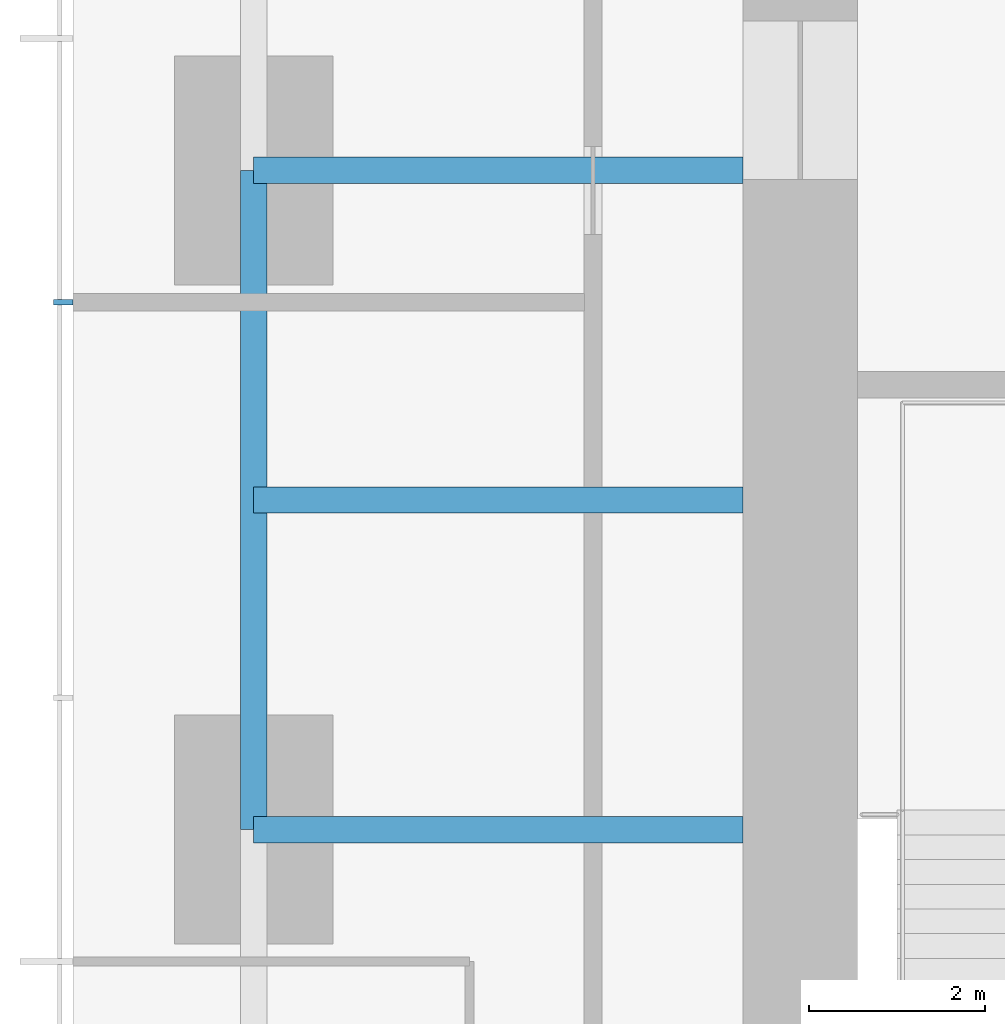
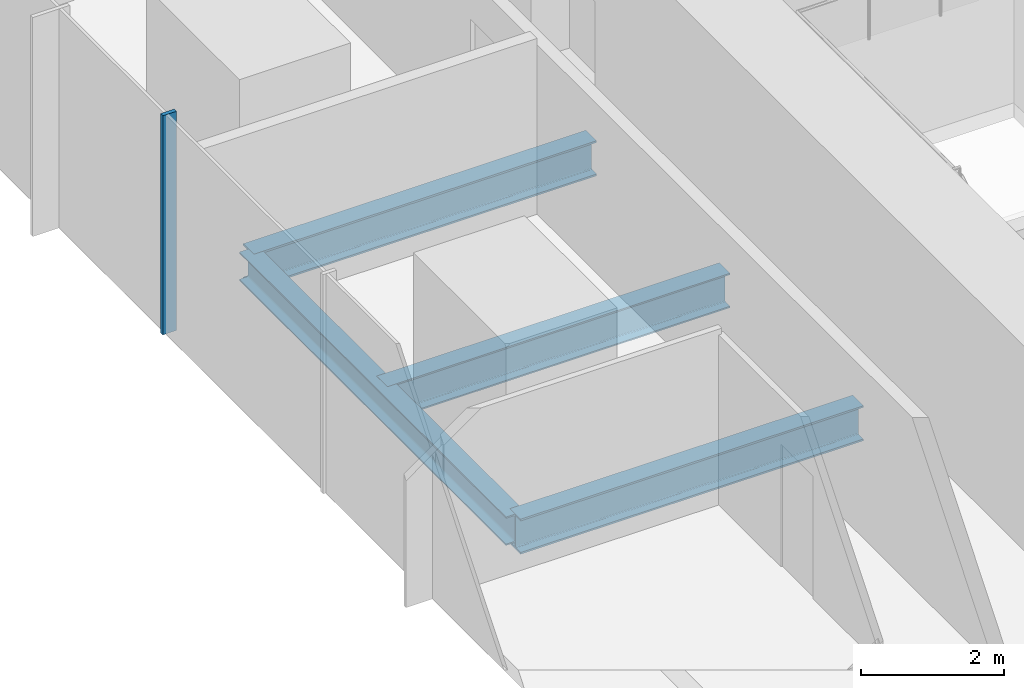
# One storey, part 3 of 12: 4 beams, 1 member, 1 element without a shape of its own.
"""IFC4 building model written with IfcOpenShell, lengths in metres."""

from ifc_helpers import new_model, si_unit, direction, frame, origin, origin_2d, place, context, subcontext, project, spatial, rectangle, i_section, extrude, material, material_profile, profile_set, type_object, element, aggregate, save


model = new_model("IFC4")

# Units and contexts
model_context = context("Model", 3, precision=1e-05, world=origin(), true_north=direction((0.0, 1.0)))
body_context = subcontext(model_context, "Body", "Model", "MODEL_VIEW")
ifc_project = project(units=[si_unit("LENGTHUNIT", "METRE"), si_unit("AREAUNIT", "SQUARE_METRE"), si_unit("VOLUMEUNIT", "CUBIC_METRE"), si_unit("PLANEANGLEUNIT", "RADIAN"), si_unit("MASSUNIT", "GRAM", prefix="KILO")], contexts=[model_context])

# Site, building, storey
site_placement = place(None, origin())
site = spatial("IfcSite", under=ifc_project, at=site_placement, CompositionType="ELEMENT")
building_placement = place(site_placement, origin())
building = spatial("IfcBuilding", under=site, at=building_placement, Name="Khuree Lantern Residences", CompositionType="ELEMENT")
storey_placement = place(building_placement, frame((0.0, 0.0, 297.0)))
storey = spatial("IfcBuildingStorey", under=building, at=storey_placement, Name="L74", CompositionType="ELEMENT", Elevation=297.0)

# Beams
ifc_material_1 = material(Name="Steel S355", Category="steel")
ifc_material_profile_1 = material_profile(ifc_material_1, i_section(OverallWidth=0.300048828125, OverallDepth=0.590087890625, WebThickness=0.012939453125, FlangeThickness=0.02490234375, FilletRadius=0.027099609375, at=origin_2d()), Name="HE 600 A")
ifc_profile_set_1 = profile_set([ifc_material_profile_1], Name="Steel S355")
beam_type_1 = type_object("IfcBeamType", Name="B-41A SECONDARY BEAM HE 600 A", PredefinedType="BEAM", material=ifc_profile_set_1)
beam_1_placement = place(storey_placement, frame((-21.699951171875, 3.739990234375, -0.544921875), z_axis=(1.0, 0.0, 0.0), x_axis=(0.0, 1.0, 0.0)))
element("IfcBeam", 1, at=beam_1_placement, inside=storey, type_object=beam_type_1, Name="Secondary beam W4", PredefinedType="BEAM", context=body_context, shape_type="SweptSolid", body=[
    extrude(i_section(OverallWidth=0.300048828125, OverallDepth=0.590087890625, WebThickness=0.012939453125, FlangeThickness=0.02490234375, FilletRadius=0.027099609375, at=origin_2d()), origin(), (0.0, 0.0, 1.0), 5.550048828125),
])
ifc_material_profile_2 = material_profile(ifc_material_1, i_section(OverallWidth=0.300048828125, OverallDepth=0.489990234375, WebThickness=0.011962890625, FlangeThickness=0.02294921875, FilletRadius=0.027099609375, at=origin_2d()), Name="HE 500 A")
ifc_profile_set_2 = profile_set([ifc_material_profile_2], Name="Steel S355")
beam_type_2 = type_object("IfcBeamType", Name="E-41 SPANDREL BEAM HE 500 A", PredefinedType="SPANDREL", material=ifc_profile_set_2)
beam_2_placement = place(storey_placement, frame((-21.699951171875, 0.0, -0.4951171875), z_axis=(0.0, 1.0, 0.0), x_axis=(-1.0, 0.0, 0.0)))
element("IfcBeam", 2, at=beam_2_placement, inside=storey, type_object=beam_type_2, Name="Spandrel beam W4", PredefinedType="SPANDREL", context=body_context, shape_type="SweptSolid", body=[
    extrude(i_section(OverallWidth=0.300048828125, OverallDepth=0.489990234375, WebThickness=0.011962890625, FlangeThickness=0.02294921875, FilletRadius=0.027099609375, at=origin_2d()), origin(), (0.0, 0.0, 1.0), 7.47998046875),
])
ifc_material_profile_3 = material_profile(ifc_material_1, i_section(OverallWidth=0.300048828125, OverallDepth=0.60009765625, WebThickness=0.015380859375, FlangeThickness=0.030029296875, FilletRadius=0.027099609375, at=origin_2d()), Name="HE 600 B")
ifc_profile_set_3 = profile_set([ifc_material_profile_3], Name="Steel S355")
beam_type_3 = type_object("IfcBeamType", Name="G-41 GIRDER HE 600 B", PredefinedType="BEAM", material=ifc_profile_set_3)
for number, where, z_axis, x_axis, name in (
    (3, (-21.699951171875, 0.0, -0.550048828125), (1.0, 0.0, 0.0), (0.0, 1.0, 0.0), "Girder W3"),
    (4, (-21.699951171875, 7.47998046875, -0.550048828125), (1.0, 0.0, 0.0), (0.0, 1.0, 0.0), "Girder W4"),
):
    element("IfcBeam", number, at=place(storey_placement, frame(where, z_axis=z_axis, x_axis=x_axis)), inside=storey, type_object=beam_type_3, Name=name, PredefinedType="BEAM", context=body_context, shape_type="SweptSolid", body=[
        extrude(i_section(OverallWidth=0.300048828125, OverallDepth=0.60009765625, WebThickness=0.015380859375, FlangeThickness=0.030029296875, FilletRadius=0.027099609375, at=origin_2d()), origin(), (0.0, 0.0, 1.0), 5.550048828125),
    ])

# Curtain wall, member
ifc_material_2 = material(Name="Bronze anodised aluminium", Category="aluminium")
curtain_wall_type = type_object("IfcCurtainWallType", Name="CW-T1 TOWER FACE CURTAIN WALL", PredefinedType="USERDEFINED", material=ifc_material_2)
curtain_wall_placement = place(storey_placement, origin())
curtain_wall = element("IfcCurtainWall", 5, at=curtain_wall_placement, inside=storey, type_object=curtain_wall_type, Name="L74 WEST FACE CURTAIN WALL", ObjectType="Stick-built curtain wall", PredefinedType="USERDEFINED")
ifc_material_profile_4 = material_profile(ifc_material_2, rectangle(XDim=0.06494140625, YDim=0.219970703125, at=origin_2d()), Name="M1 65X220")
ifc_profile_set_4 = profile_set([ifc_material_profile_4], Name="Bronze anodised aluminium")
member_type = type_object("IfcMemberType", Name="M1 BRONZE MULLION TOWER 65X220", PredefinedType="MULLION", material=ifc_profile_set_4)
member_placement = place(storey_placement, frame((-23.860107421875, 5.98388671875, 0.0), z_axis=(0.0, 0.0, 1.0), x_axis=(0.0, -1.0, 0.0)))
member = element("IfcMember", 6, at=member_placement, type_object=member_type, Name="L74 WEST FACE MULLION 36", PredefinedType="MULLION", context=body_context, shape_type="SweptSolid", body=[
    extrude(rectangle(XDim=0.06494140625, YDim=0.219970703125, at=origin_2d()), origin(), (0.0, 0.0, 1.0), 3.75),
])
aggregate(curtain_wall, [member])

save(model, "model.ifc")
